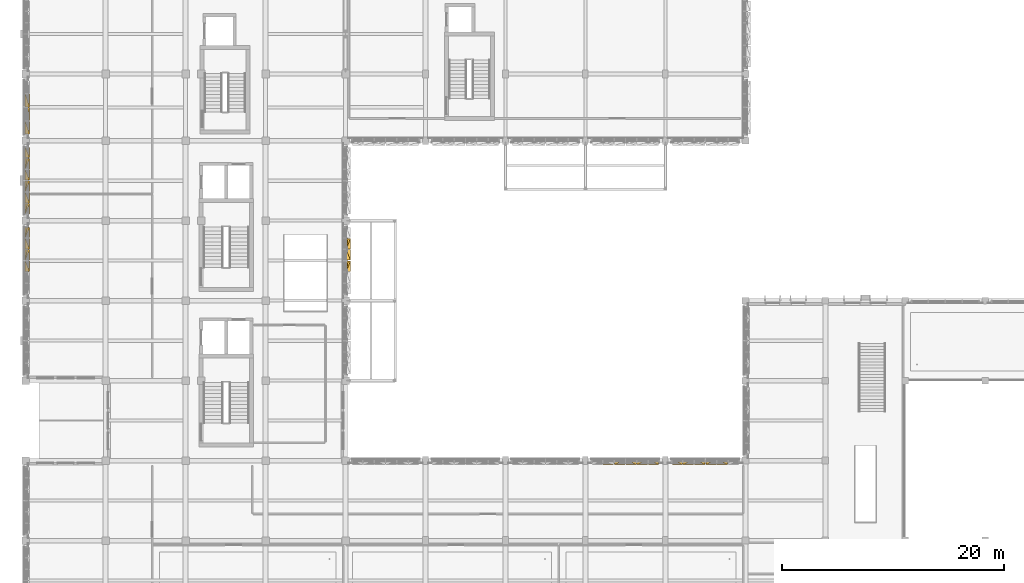
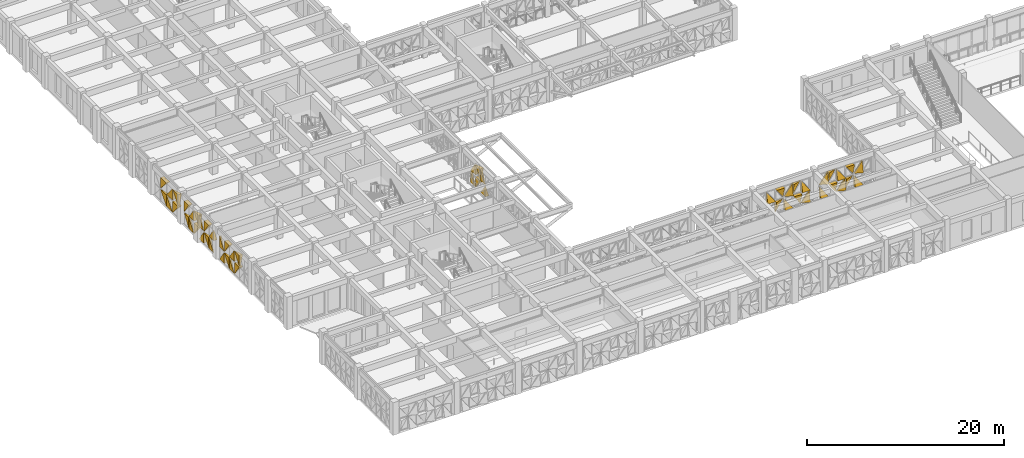
# One storey, part 84 of 88: 51 coverings.
"""IFC4 building model written with IfcOpenShell, lengths in metres."""

from ifc_helpers import new_model, si_unit, direction, frame, origin, place, context, subcontext, project, spatial, polygons, material, layer, layer_set, type_object, element, save


model = new_model("IFC4")

# Units and contexts
model_context = context("Model", 3, precision=1e-05, world=origin(), true_north=direction((0.0, 1.0)))
body_context = subcontext(model_context, "Body", "Model", "MODEL_VIEW")
ifc_project = project(units=[si_unit("LENGTHUNIT", "METRE"), si_unit("AREAUNIT", "SQUARE_METRE"), si_unit("VOLUMEUNIT", "CUBIC_METRE"), si_unit("PLANEANGLEUNIT", "RADIAN"), si_unit("MASSUNIT", "GRAM", prefix="KILO")], contexts=[model_context])

# Site, building, storey
site_placement = place(None, origin())
site = spatial("IfcSite", under=ifc_project, at=site_placement, CompositionType="ELEMENT")
building_placement = place(site_placement, origin())
building = spatial("IfcBuilding", under=site, at=building_placement, Name="Alvorim Cloister Faculty of Sciences", CompositionType="ELEMENT")
storey_placement = place(building_placement, frame((0.0, 0.0, 4.5)))
storey = spatial("IfcBuildingStorey", under=building, at=storey_placement, Name="L01", CompositionType="ELEMENT", Elevation=4.5)

# Coverings
ifc_material = material(Name="Perforated Bronze Alloy Sheet", Category="metal")
ifc_layer = layer(ifc_material, 0.0380859375)
ifc_layer_set = layer_set([ifc_layer], Name="Perforated Bronze Alloy Sheet")
covering_type = type_object("IfcCoveringType", Name="COV-TRI-BRZ", PredefinedType="CLADDING", material=ifc_layer_set)
covering_1_placement = place(storey_placement, frame((-0.044921875, 31.41748046875, 0.159912109375), z_axis=(0.0, 0.0, 1.0), x_axis=(0.0, 1.0, 0.0)))
element("IfcCovering", 1, at=covering_1_placement, inside=storey, type_object=covering_type, Name="Diagonal Solid Metal Triangle TRI-TR", PredefinedType="CLADDING", context=body_context, shape_type="Tessellation", body=[
    polygons([(0.945068359375, 0.0260009765625, 0.002), (0.945068359375, 0.0260009765625, 1.344970703125), (0.002, 0.0260009765625, 1.344970703125), (0.945068359375, -0.03, 0.002), (0.945068359375, -0.4, 1.344970703125), (0.002, -0.4, 1.344970703125)], [[[1, 3, 2]], [[4, 5, 6]], [[1, 2, 5, 4]], [[2, 3, 6, 5]], [[3, 1, 4, 6]]], closed=True),
])
covering_2_placement = place(storey_placement, frame((-0.044921875, 31.41748046875, 1.6650390625), z_axis=(0.0, 0.0, 1.0), x_axis=(0.0, 1.0, 0.0)))
element("IfcCovering", 2, at=covering_2_placement, inside=storey, type_object=covering_type, Name="Diagonal Solid Metal Triangle TRI-TL", PredefinedType="CLADDING", context=body_context, shape_type="Tessellation", body=[
    polygons([(0.943068359375, 0.0260009765625, 1.344970703125), (0.0, 0.0260009765625, 1.344970703125), (0.0, 0.0260009765625, 0.002), (0.943068359375, -0.03, 1.344970703125), (0.0, -0.4, 1.344970703125), (0.0, -0.13999999999999999, 0.002)], [[[1, 3, 2]], [[4, 5, 6]], [[1, 2, 5, 4]], [[2, 3, 6, 5]], [[3, 1, 4, 6]]], closed=True),
])
covering_3_placement = place(storey_placement, frame((-0.044921875, 32.4375, 0.159912109375), z_axis=(0.0, 0.0, 1.0), x_axis=(0.0, 1.0, 0.0)))
element("IfcCovering", 3, at=covering_3_placement, inside=storey, type_object=covering_type, Name="Diagonal Solid Metal Triangle TRI-BR", PredefinedType="CLADDING", context=body_context, shape_type="Tessellation", body=[
    polygons([(0.002, 0.0260009765625, 0.0), (0.945068359375, 0.0260009765625, 0.0), (0.945068359375, 0.0260009765625, 1.342970703125), (0.002, -0.03, 0.0), (0.945068359375, -0.4, 0.0), (0.945068359375, -0.18000000000000002, 1.342970703125)], [[[1, 3, 2]], [[4, 5, 6]], [[1, 2, 5, 4]], [[2, 3, 6, 5]], [[3, 1, 4, 6]]], closed=True),
])
covering_4_placement = place(storey_placement, frame((-0.044921875, 32.4375, 1.6650390625), z_axis=(0.0, 0.0, 1.0), x_axis=(0.0, 1.0, 0.0)))
element("IfcCovering", 4, at=covering_4_placement, inside=storey, type_object=covering_type, Name="Diagonal Solid Metal Triangle TRI-BL", PredefinedType="CLADDING", context=body_context, shape_type="Tessellation", body=[
    polygons([(0.0, 0.0260009765625, 0.0), (0.943068359375, 0.0260009765625, 0.0), (0.0, 0.0260009765625, 1.342970703125), (0.0, -0.4, 0.0), (0.943068359375, -0.4, 0.0), (0.0, -0.03, 1.342970703125)], [[[1, 3, 2]], [[4, 5, 6]], [[1, 2, 5, 4]], [[2, 3, 6, 5]], [[3, 1, 4, 6]]], closed=True),
])
covering_5_placement = place(storey_placement, frame((-0.044921875, 33.45751953125, 0.159912109375), z_axis=(0.0, 0.0, 1.0), x_axis=(0.0, 1.0, 0.0)))
element("IfcCovering", 5, at=covering_5_placement, inside=storey, type_object=covering_type, Name="Diagonal Solid Metal Triangle TRI-TL", PredefinedType="CLADDING", context=body_context, shape_type="Tessellation", body=[
    polygons([(0.943068359375, 0.0260009765625, 1.344970703125), (0.0, 0.0260009765625, 1.344970703125), (0.0, 0.0260009765625, 0.002), (0.943068359375, -0.03, 1.344970703125), (0.0, -0.4, 1.344970703125), (0.0, -0.13999999999999999, 0.002)], [[[1, 3, 2]], [[4, 5, 6]], [[1, 2, 5, 4]], [[2, 3, 6, 5]], [[3, 1, 4, 6]]], closed=True),
])
covering_6_placement = place(storey_placement, frame((-0.044921875, 33.45751953125, 1.6650390625), z_axis=(0.0, 0.0, 1.0), x_axis=(0.0, 1.0, 0.0)))
element("IfcCovering", 6, at=covering_6_placement, inside=storey, type_object=covering_type, Name="Diagonal Solid Metal Triangle TRI-TR", PredefinedType="CLADDING", context=body_context, shape_type="Tessellation", body=[
    polygons([(0.945068359375, 0.0260009765625, 0.002), (0.945068359375, 0.0260009765625, 1.344970703125), (0.002, 0.0260009765625, 1.344970703125), (0.945068359375, -0.03, 0.002), (0.945068359375, -0.4, 1.344970703125), (0.002, -0.4, 1.344970703125)], [[[1, 3, 2]], [[4, 5, 6]], [[1, 2, 5, 4]], [[2, 3, 6, 5]], [[3, 1, 4, 6]]], closed=True),
])
covering_7_placement = place(storey_placement, frame((-0.044921875, 34.4775390625, 0.159912109375), z_axis=(0.0, 0.0, 1.0), x_axis=(0.0, 1.0, 0.0)))
element("IfcCovering", 7, at=covering_7_placement, inside=storey, type_object=covering_type, Name="Diagonal Solid Metal Triangle TRI-BL", PredefinedType="CLADDING", context=body_context, shape_type="Tessellation", body=[
    polygons([(0.0, 0.0260009765625, 0.0), (0.905470703125, 0.0260009765625, 0.0), (0.0, 0.0260009765625, 1.342970703125), (0.0, -0.4, 0.0), (0.905470703125, -0.4, 0.0), (0.0, -0.03, 1.342970703125)], [[[1, 3, 2]], [[4, 5, 6]], [[1, 2, 5, 4]], [[2, 3, 6, 5]], [[3, 1, 4, 6]]], closed=True),
])
for number, where, z_axis, x_axis, name in (
    (8, (-0.044921875, 34.4775390625, 1.6650390625), (0.0, 0.0, 1.0), (0.0, 1.0, 0.0), "Diagonal Solid Metal Triangle TRI-BR"),
    (9, (-0.044921875, 36.614990234375, 0.159912109375), (0.0, 0.0, 1.0), (0.0, 1.0, 0.0), "Diagonal Solid Metal Triangle TRI-BR"),
):
    element("IfcCovering", number, at=place(storey_placement, frame(where, z_axis=z_axis, x_axis=x_axis)), inside=storey, type_object=covering_type, Name=name, PredefinedType="CLADDING", context=body_context, shape_type="Tessellation", body=[
        polygons([(0.002, 0.0260009765625, 0.0), (0.907470703125, 0.0260009765625, 0.0), (0.907470703125, 0.0260009765625, 1.342970703125), (0.002, -0.03, 0.0), (0.907470703125, -0.4, 0.0), (0.907470703125, -0.18000000000000002, 1.342970703125)], [[[1, 3, 2]], [[4, 5, 6]], [[1, 2, 5, 4]], [[2, 3, 6, 5]], [[3, 1, 4, 6]]], closed=True),
    ])
covering_8_placement = place(storey_placement, frame((-0.044921875, 36.614990234375, 1.6650390625), z_axis=(0.0, 0.0, 1.0), x_axis=(0.0, 1.0, 0.0)))
element("IfcCovering", 10, at=covering_8_placement, inside=storey, type_object=covering_type, Name="Diagonal Solid Metal Triangle TRI-BL", PredefinedType="CLADDING", context=body_context, shape_type="Tessellation", body=[
    polygons([(0.0, 0.0260009765625, 0.0), (0.905470703125, 0.0260009765625, 0.0), (0.0, 0.0260009765625, 1.342970703125), (0.0, -0.4, 0.0), (0.905470703125, -0.4, 0.0), (0.0, -0.03, 1.342970703125)], [[[1, 3, 2]], [[4, 5, 6]], [[1, 2, 5, 4]], [[2, 3, 6, 5]], [[3, 1, 4, 6]]], closed=True),
])
covering_9_placement = place(storey_placement, frame((-0.044921875, 37.597412109375, 0.159912109375), z_axis=(0.0, 0.0, 1.0), x_axis=(0.0, 1.0, 0.0)))
element("IfcCovering", 11, at=covering_9_placement, inside=storey, type_object=covering_type, Name="Diagonal Solid Metal Triangle TRI-TL", PredefinedType="CLADDING", context=body_context, shape_type="Tessellation", body=[
    polygons([(0.943068359375, 0.0260009765625, 1.344970703125), (0.0, 0.0260009765625, 1.344970703125), (0.0, 0.0260009765625, 0.002), (0.943068359375, -0.03, 1.344970703125), (0.0, -0.4, 1.344970703125), (0.0, -0.13999999999999999, 0.002)], [[[1, 3, 2]], [[4, 5, 6]], [[1, 2, 5, 4]], [[2, 3, 6, 5]], [[3, 1, 4, 6]]], closed=True),
])
covering_10_placement = place(storey_placement, frame((-0.044921875, 37.597412109375, 1.6650390625), z_axis=(0.0, 0.0, 1.0), x_axis=(0.0, 1.0, 0.0)))
element("IfcCovering", 12, at=covering_10_placement, inside=storey, type_object=covering_type, Name="Diagonal Solid Metal Triangle TRI-TR", PredefinedType="CLADDING", context=body_context, shape_type="Tessellation", body=[
    polygons([(0.945068359375, 0.0260009765625, 0.002), (0.945068359375, 0.0260009765625, 1.344970703125), (0.002, 0.0260009765625, 1.344970703125), (0.945068359375, -0.03, 0.002), (0.945068359375, -0.4, 1.344970703125), (0.002, -0.4, 1.344970703125)], [[[1, 3, 2]], [[4, 5, 6]], [[1, 2, 5, 4]], [[2, 3, 6, 5]], [[3, 1, 4, 6]]], closed=True),
])
covering_11_placement = place(storey_placement, frame((-0.044921875, 38.617431640625, 0.159912109375), z_axis=(0.0, 0.0, 1.0), x_axis=(0.0, 1.0, 0.0)))
element("IfcCovering", 13, at=covering_11_placement, inside=storey, type_object=covering_type, Name="Diagonal Solid Metal Triangle TRI-BL", PredefinedType="CLADDING", context=body_context, shape_type="Tessellation", body=[
    polygons([(0.0, 0.0260009765625, 0.0), (0.943068359375, 0.0260009765625, 0.0), (0.0, 0.0260009765625, 1.342970703125), (0.0, -0.4, 0.0), (0.943068359375, -0.4, 0.0), (0.0, -0.03, 1.342970703125)], [[[1, 3, 2]], [[4, 5, 6]], [[1, 2, 5, 4]], [[2, 3, 6, 5]], [[3, 1, 4, 6]]], closed=True),
])
covering_12_placement = place(storey_placement, frame((-0.044921875, 38.617431640625, 1.6650390625), z_axis=(0.0, 0.0, 1.0), x_axis=(0.0, 1.0, 0.0)))
element("IfcCovering", 14, at=covering_12_placement, inside=storey, type_object=covering_type, Name="Diagonal Solid Metal Triangle TRI-BR", PredefinedType="CLADDING", context=body_context, shape_type="Tessellation", body=[
    polygons([(0.002, 0.0260009765625, 0.0), (0.945068359375, 0.0260009765625, 0.0), (0.945068359375, 0.0260009765625, 1.342970703125), (0.002, -0.03, 0.0), (0.945068359375, -0.4, 0.0), (0.945068359375, -0.18000000000000002, 1.342970703125)], [[[1, 3, 2]], [[4, 5, 6]], [[1, 2, 5, 4]], [[2, 3, 6, 5]], [[3, 1, 4, 6]]], closed=True),
])
covering_13_placement = place(storey_placement, frame((-0.044921875, 39.637451171875, 0.159912109375), z_axis=(0.0, 0.0, 1.0), x_axis=(0.0, 1.0, 0.0)))
element("IfcCovering", 15, at=covering_13_placement, inside=storey, type_object=covering_type, Name="Diagonal Solid Metal Triangle TRI-TR", PredefinedType="CLADDING", context=body_context, shape_type="Tessellation", body=[
    polygons([(0.945068359375, 0.0260009765625, 0.002), (0.945068359375, 0.0260009765625, 1.344970703125), (0.002, 0.0260009765625, 1.344970703125), (0.945068359375, -0.03, 0.002), (0.945068359375, -0.4, 1.344970703125), (0.002, -0.4, 1.344970703125)], [[[1, 3, 2]], [[4, 5, 6]], [[1, 2, 5, 4]], [[2, 3, 6, 5]], [[3, 1, 4, 6]]], closed=True),
])
covering_14_placement = place(storey_placement, frame((-0.044921875, 39.637451171875, 1.6650390625), z_axis=(0.0, 0.0, 1.0), x_axis=(0.0, 1.0, 0.0)))
element("IfcCovering", 16, at=covering_14_placement, inside=storey, type_object=covering_type, Name="Diagonal Solid Metal Triangle TRI-TL", PredefinedType="CLADDING", context=body_context, shape_type="Tessellation", body=[
    polygons([(0.943068359375, 0.0260009765625, 1.344970703125), (0.0, 0.0260009765625, 1.344970703125), (0.0, 0.0260009765625, 0.002), (0.943068359375, -0.03, 1.344970703125), (0.0, -0.4, 1.344970703125), (0.0, -0.13999999999999999, 0.002)], [[[1, 3, 2]], [[4, 5, 6]], [[1, 2, 5, 4]], [[2, 3, 6, 5]], [[3, 1, 4, 6]]], closed=True),
])
covering_15_placement = place(storey_placement, frame((-0.044921875, 40.657470703125, 0.159912109375), z_axis=(0.0, 0.0, 1.0), x_axis=(0.0, 1.0, 0.0)))
element("IfcCovering", 17, at=covering_15_placement, inside=storey, type_object=covering_type, Name="Diagonal Solid Metal Triangle TRI-BR", PredefinedType="CLADDING", context=body_context, shape_type="Tessellation", body=[
    polygons([(0.002, 0.0260009765625, 0.0), (0.945068359375, 0.0260009765625, 0.0), (0.945068359375, 0.0260009765625, 1.342970703125), (0.002, -0.03, 0.0), (0.945068359375, -0.4, 0.0), (0.945068359375, -0.18000000000000002, 1.342970703125)], [[[1, 3, 2]], [[4, 5, 6]], [[1, 2, 5, 4]], [[2, 3, 6, 5]], [[3, 1, 4, 6]]], closed=True),
])
covering_16_placement = place(storey_placement, frame((-0.044921875, 40.657470703125, 1.6650390625), z_axis=(0.0, 0.0, 1.0), x_axis=(0.0, 1.0, 0.0)))
element("IfcCovering", 18, at=covering_16_placement, inside=storey, type_object=covering_type, Name="Diagonal Solid Metal Triangle TRI-BL", PredefinedType="CLADDING", context=body_context, shape_type="Tessellation", body=[
    polygons([(0.0, 0.0260009765625, 0.0), (0.943068359375, 0.0260009765625, 0.0), (0.0, 0.0260009765625, 1.342970703125), (0.0, -0.4, 0.0), (0.943068359375, -0.4, 0.0), (0.0, -0.03, 1.342970703125)], [[[1, 3, 2]], [[4, 5, 6]], [[1, 2, 5, 4]], [[2, 3, 6, 5]], [[3, 1, 4, 6]]], closed=True),
])
covering_17_placement = place(storey_placement, frame((-0.044921875, 41.677490234375, 0.159912109375), z_axis=(0.0, 0.0, 1.0), x_axis=(0.0, 1.0, 0.0)))
element("IfcCovering", 19, at=covering_17_placement, inside=storey, type_object=covering_type, Name="Diagonal Solid Metal Triangle TRI-TL", PredefinedType="CLADDING", context=body_context, shape_type="Tessellation", body=[
    polygons([(0.905470703125, 0.0260009765625, 1.344970703125), (0.0, 0.0260009765625, 1.344970703125), (0.0, 0.0260009765625, 0.002), (0.905470703125, -0.03, 1.344970703125), (0.0, -0.4, 1.344970703125), (0.0, -0.13999999999999999, 0.002)], [[[1, 3, 2]], [[4, 5, 6]], [[1, 2, 5, 4]], [[2, 3, 6, 5]], [[3, 1, 4, 6]]], closed=True),
])
covering_18_placement = place(storey_placement, frame((-0.044921875, 41.677490234375, 1.6650390625), z_axis=(0.0, 0.0, 1.0), x_axis=(0.0, 1.0, 0.0)))
element("IfcCovering", 20, at=covering_18_placement, inside=storey, type_object=covering_type, Name="Diagonal Solid Metal Triangle TRI-TR", PredefinedType="CLADDING", context=body_context, shape_type="Tessellation", body=[
    polygons([(0.907470703125, 0.0260009765625, 0.002), (0.907470703125, 0.0260009765625, 1.344970703125), (0.002, 0.0260009765625, 1.344970703125), (0.907470703125, -0.03, 0.002), (0.907470703125, -0.4, 1.344970703125), (0.002, -0.4, 1.344970703125)], [[[1, 3, 2]], [[4, 5, 6]], [[1, 2, 5, 4]], [[2, 3, 6, 5]], [[3, 1, 4, 6]]], closed=True),
])
covering_19_placement = place(storey_placement, frame((-0.044921875, 43.81494140625, 0.159912109375), z_axis=(0.0, 0.0, 1.0), x_axis=(0.0, 1.0, 0.0)))
element("IfcCovering", 21, at=covering_19_placement, inside=storey, type_object=covering_type, Name="Diagonal Solid Metal Triangle TRI-TR", PredefinedType="CLADDING", context=body_context, shape_type="Tessellation", body=[
    polygons([(1.117431640625, 0.0260009765625, 0.002), (1.117431640625, 0.0260009765625, 1.344970703125), (0.002, 0.0260009765625, 1.344970703125), (1.117431640625, -0.03, 0.002), (1.117431640625, -0.4, 1.344970703125), (0.002, -0.4, 1.344970703125)], [[[1, 3, 2]], [[4, 5, 6]], [[1, 2, 5, 4]], [[2, 3, 6, 5]], [[3, 1, 4, 6]]], closed=True),
])
covering_20_placement = place(storey_placement, frame((-0.044921875, 43.81494140625, 1.6650390625), z_axis=(0.0, 0.0, 1.0), x_axis=(0.0, 1.0, 0.0)))
element("IfcCovering", 22, at=covering_20_placement, inside=storey, type_object=covering_type, Name="Diagonal Solid Metal Triangle TRI-TL", PredefinedType="CLADDING", context=body_context, shape_type="Tessellation", body=[
    polygons([(1.115431640625, 0.0260009765625, 1.344970703125), (0.0, 0.0260009765625, 1.344970703125), (0.0, 0.0260009765625, 0.002), (1.115431640625, -0.03, 1.344970703125), (0.0, -0.4, 1.344970703125), (0.0, -0.13999999999999999, 0.002)], [[[1, 3, 2]], [[4, 5, 6]], [[1, 2, 5, 4]], [[2, 3, 6, 5]], [[3, 1, 4, 6]]], closed=True),
])
covering_21_placement = place(storey_placement, frame((-0.044921875, 45.007568359375, 0.159912109375), z_axis=(0.0, 0.0, 1.0), x_axis=(0.0, 1.0, 0.0)))
element("IfcCovering", 23, at=covering_21_placement, inside=storey, type_object=covering_type, Name="Diagonal Solid Metal Triangle TRI-BR", PredefinedType="CLADDING", context=body_context, shape_type="Tessellation", body=[
    polygons([(0.002, 0.0260009765625, 0.0), (1.155029296875, 0.0260009765625, 0.0), (1.155029296875, 0.0260009765625, 1.342970703125), (0.002, -0.03, 0.0), (1.155029296875, -0.4, 0.0), (1.155029296875, -0.18000000000000002, 1.342970703125)], [[[1, 3, 2]], [[4, 5, 6]], [[1, 2, 5, 4]], [[2, 3, 6, 5]], [[3, 1, 4, 6]]], closed=True),
])
covering_22_placement = place(storey_placement, frame((-0.044921875, 45.007568359375, 1.6650390625), z_axis=(0.0, 0.0, 1.0), x_axis=(0.0, 1.0, 0.0)))
element("IfcCovering", 24, at=covering_22_placement, inside=storey, type_object=covering_type, Name="Diagonal Solid Metal Triangle TRI-BL", PredefinedType="CLADDING", context=body_context, shape_type="Tessellation", body=[
    polygons([(0.0, 0.0260009765625, 0.0), (1.153029296875, 0.0260009765625, 0.0), (0.0, 0.0260009765625, 1.342970703125), (0.0, -0.4, 0.0), (1.153029296875, -0.4, 0.0), (0.0, -0.03, 1.342970703125)], [[[1, 3, 2]], [[4, 5, 6]], [[1, 2, 5, 4]], [[2, 3, 6, 5]], [[3, 1, 4, 6]]], closed=True),
])
covering_23_placement = place(storey_placement, frame((-0.044921875, 46.237548828125, 0.159912109375), z_axis=(0.0, 0.0, 1.0), x_axis=(0.0, 1.0, 0.0)))
element("IfcCovering", 25, at=covering_23_placement, inside=storey, type_object=covering_type, Name="Diagonal Solid Metal Triangle TRI-TL", PredefinedType="CLADDING", context=body_context, shape_type="Tessellation", body=[
    polygons([(1.153029296875, 0.0260009765625, 1.344970703125), (0.0, 0.0260009765625, 1.344970703125), (0.0, 0.0260009765625, 0.002), (1.153029296875, -0.03, 1.344970703125), (0.0, -0.4, 1.344970703125), (0.0, -0.13999999999999999, 0.002)], [[[1, 3, 2]], [[4, 5, 6]], [[1, 2, 5, 4]], [[2, 3, 6, 5]], [[3, 1, 4, 6]]], closed=True),
])
covering_24_placement = place(storey_placement, frame((-0.044921875, 46.237548828125, 1.6650390625), z_axis=(0.0, 0.0, 1.0), x_axis=(0.0, 1.0, 0.0)))
element("IfcCovering", 26, at=covering_24_placement, inside=storey, type_object=covering_type, Name="Diagonal Solid Metal Triangle TRI-TR", PredefinedType="CLADDING", context=body_context, shape_type="Tessellation", body=[
    polygons([(1.155029296875, 0.0260009765625, 0.002), (1.155029296875, 0.0260009765625, 1.344970703125), (0.002, 0.0260009765625, 1.344970703125), (1.155029296875, -0.03, 0.002), (1.155029296875, -0.4, 1.344970703125), (0.002, -0.4, 1.344970703125)], [[[1, 3, 2]], [[4, 5, 6]], [[1, 2, 5, 4]], [[2, 3, 6, 5]], [[3, 1, 4, 6]]], closed=True),
])
covering_25_placement = place(storey_placement, frame((28.844970703125, 31.41748046875, 0.159912109375), z_axis=(0.0, 0.0, 1.0), x_axis=(0.0, 1.0, 0.0)))
element("IfcCovering", 27, at=covering_25_placement, inside=storey, type_object=covering_type, Name="Diagonal Solid Metal Triangle TRI-BL", PredefinedType="CLADDING", context=body_context, shape_type="Tessellation", body=[
    polygons([(0.0, 0.0260009765625, 0.0), (0.943068359375, 0.0260009765625, 0.0), (0.0, 0.0260009765625, 1.342970703125), (0.0, -0.4, 0.0), (0.943068359375, -0.4, 0.0), (0.0, -0.03, 1.342970703125)], [[[1, 3, 2]], [[4, 5, 6]], [[1, 2, 5, 4]], [[2, 3, 6, 5]], [[3, 1, 4, 6]]], closed=True),
])
covering_26_placement = place(storey_placement, frame((28.844970703125, 31.41748046875, 1.6650390625), z_axis=(0.0, 0.0, 1.0), x_axis=(0.0, 1.0, 0.0)))
element("IfcCovering", 28, at=covering_26_placement, inside=storey, type_object=covering_type, Name="Diagonal Solid Metal Triangle TRI-BR", PredefinedType="CLADDING", context=body_context, shape_type="Tessellation", body=[
    polygons([(0.002, 0.0260009765625, 0.0), (0.945068359375, 0.0260009765625, 0.0), (0.945068359375, 0.0260009765625, 1.342970703125), (0.002, -0.03, 0.0), (0.945068359375, -0.4, 0.0), (0.945068359375, -0.18000000000000002, 1.342970703125)], [[[1, 3, 2]], [[4, 5, 6]], [[1, 2, 5, 4]], [[2, 3, 6, 5]], [[3, 1, 4, 6]]], closed=True),
])
covering_27_placement = place(storey_placement, frame((28.844970703125, 32.4375, 0.159912109375), z_axis=(0.0, 0.0, 1.0), x_axis=(0.0, 1.0, 0.0)))
element("IfcCovering", 29, at=covering_27_placement, inside=storey, type_object=covering_type, Name="Diagonal Solid Metal Triangle TRI-TR", PredefinedType="CLADDING", context=body_context, shape_type="Tessellation", body=[
    polygons([(0.945068359375, 0.0260009765625, 0.002), (0.945068359375, 0.0260009765625, 1.344970703125), (0.002, 0.0260009765625, 1.344970703125), (0.945068359375, -0.03, 0.002), (0.945068359375, -0.4, 1.344970703125), (0.002, -0.4, 1.344970703125)], [[[1, 3, 2]], [[4, 5, 6]], [[1, 2, 5, 4]], [[2, 3, 6, 5]], [[3, 1, 4, 6]]], closed=True),
])
covering_28_placement = place(storey_placement, frame((28.844970703125, 32.4375, 1.6650390625), z_axis=(0.0, 0.0, 1.0), x_axis=(0.0, 1.0, 0.0)))
element("IfcCovering", 30, at=covering_28_placement, inside=storey, type_object=covering_type, Name="Diagonal Solid Metal Triangle TRI-TL", PredefinedType="CLADDING", context=body_context, shape_type="Tessellation", body=[
    polygons([(0.943068359375, 0.0260009765625, 1.344970703125), (0.0, 0.0260009765625, 1.344970703125), (0.0, 0.0260009765625, 0.002), (0.943068359375, -0.03, 1.344970703125), (0.0, -0.4, 1.344970703125), (0.0, -0.13999999999999999, 0.002)], [[[1, 3, 2]], [[4, 5, 6]], [[1, 2, 5, 4]], [[2, 3, 6, 5]], [[3, 1, 4, 6]]], closed=True),
])
covering_29_placement = place(storey_placement, frame((28.844970703125, 33.45751953125, 0.159912109375), z_axis=(0.0, 0.0, 1.0), x_axis=(0.0, 1.0, 0.0)))
element("IfcCovering", 31, at=covering_29_placement, inside=storey, type_object=covering_type, Name="Diagonal Solid Metal Triangle TRI-BR", PredefinedType="CLADDING", context=body_context, shape_type="Tessellation", body=[
    polygons([(0.002, 0.0260009765625, 0.0), (0.945068359375, 0.0260009765625, 0.0), (0.945068359375, 0.0260009765625, 1.342970703125), (0.002, -0.03, 0.0), (0.945068359375, -0.4, 0.0), (0.945068359375, -0.18000000000000002, 1.342970703125)], [[[1, 3, 2]], [[4, 5, 6]], [[1, 2, 5, 4]], [[2, 3, 6, 5]], [[3, 1, 4, 6]]], closed=True),
])
for number, where, z_axis, x_axis, name in (
    (32, (28.844970703125, 33.45751953125, 1.6650390625), (0.0, 0.0, 1.0), (0.0, 1.0, 0.0), "Diagonal Solid Metal Triangle TRI-BL"),
    (33, (51.99755859375, 14.445068359375, 1.6650390625), (0.0, 0.0, 1.0), (1.0, 0.0, 0.0), "Diagonal Solid Metal Triangle TRI-BL"),
):
    element("IfcCovering", number, at=place(storey_placement, frame(where, z_axis=z_axis, x_axis=x_axis)), inside=storey, type_object=covering_type, Name=name, PredefinedType="CLADDING", context=body_context, shape_type="Tessellation", body=[
        polygons([(0.0, 0.0260009765625, 0.0), (0.943068359375, 0.0260009765625, 0.0), (0.0, 0.0260009765625, 1.342970703125), (0.0, -0.4, 0.0), (0.943068359375, -0.4, 0.0), (0.0, -0.03, 1.342970703125)], [[[1, 3, 2]], [[4, 5, 6]], [[1, 2, 5, 4]], [[2, 3, 6, 5]], [[3, 1, 4, 6]]], closed=True),
    ])
covering_30_placement = place(storey_placement, frame((53.017578125, 14.445068359375, 0.159912109375), z_axis=(0.0, 0.0, 1.0), x_axis=(1.0, 0.0, 0.0)))
element("IfcCovering", 34, at=covering_30_placement, inside=storey, type_object=covering_type, Name="Diagonal Solid Metal Triangle TRI-TL", PredefinedType="CLADDING", context=body_context, shape_type="Tessellation", body=[
    polygons([(0.943068359375, 0.0260009765625, 1.344970703125), (0.0, 0.0260009765625, 1.344970703125), (0.0, 0.0260009765625, 0.002), (0.943068359375, -0.03, 1.344970703125), (0.0, -0.4, 1.344970703125), (0.0, -0.13999999999999999, 0.002)], [[[1, 3, 2]], [[4, 5, 6]], [[1, 2, 5, 4]], [[2, 3, 6, 5]], [[3, 1, 4, 6]]], closed=True),
])
covering_31_placement = place(storey_placement, frame((53.017578125, 14.445068359375, 1.6650390625), z_axis=(0.0, 0.0, 1.0), x_axis=(1.0, 0.0, 0.0)))
element("IfcCovering", 35, at=covering_31_placement, inside=storey, type_object=covering_type, Name="Diagonal Solid Metal Triangle TRI-TR", PredefinedType="CLADDING", context=body_context, shape_type="Tessellation", body=[
    polygons([(0.945068359375, 0.0260009765625, 0.002), (0.945068359375, 0.0260009765625, 1.344970703125), (0.002, 0.0260009765625, 1.344970703125), (0.945068359375, -0.03, 0.002), (0.945068359375, -0.4, 1.344970703125), (0.002, -0.4, 1.344970703125)], [[[1, 3, 2]], [[4, 5, 6]], [[1, 2, 5, 4]], [[2, 3, 6, 5]], [[3, 1, 4, 6]]], closed=True),
])
covering_32_placement = place(storey_placement, frame((54.03759765625, 14.445068359375, 0.159912109375), z_axis=(0.0, 0.0, 1.0), x_axis=(1.0, 0.0, 0.0)))
element("IfcCovering", 36, at=covering_32_placement, inside=storey, type_object=covering_type, Name="Diagonal Solid Metal Triangle TRI-BL", PredefinedType="CLADDING", context=body_context, shape_type="Tessellation", body=[
    polygons([(0.0, 0.0260009765625, 0.0), (0.943068359375, 0.0260009765625, 0.0), (0.0, 0.0260009765625, 1.342970703125), (0.0, -0.4, 0.0), (0.943068359375, -0.4, 0.0), (0.0, -0.03, 1.342970703125)], [[[1, 3, 2]], [[4, 5, 6]], [[1, 2, 5, 4]], [[2, 3, 6, 5]], [[3, 1, 4, 6]]], closed=True),
])
covering_33_placement = place(storey_placement, frame((54.03759765625, 14.445068359375, 1.6650390625), z_axis=(0.0, 0.0, 1.0), x_axis=(1.0, 0.0, 0.0)))
element("IfcCovering", 37, at=covering_33_placement, inside=storey, type_object=covering_type, Name="Diagonal Solid Metal Triangle TRI-BR", PredefinedType="CLADDING", context=body_context, shape_type="Tessellation", body=[
    polygons([(0.002, 0.0260009765625, 0.0), (0.945068359375, 0.0260009765625, 0.0), (0.945068359375, 0.0260009765625, 1.342970703125), (0.002, -0.03, 0.0), (0.945068359375, -0.4, 0.0), (0.945068359375, -0.18000000000000002, 1.342970703125)], [[[1, 3, 2]], [[4, 5, 6]], [[1, 2, 5, 4]], [[2, 3, 6, 5]], [[3, 1, 4, 6]]], closed=True),
])
covering_34_placement = place(storey_placement, frame((55.0576171875, 14.445068359375, 0.159912109375), z_axis=(0.0, 0.0, 1.0), x_axis=(1.0, 0.0, 0.0)))
element("IfcCovering", 38, at=covering_34_placement, inside=storey, type_object=covering_type, Name="Diagonal Solid Metal Triangle TRI-TR", PredefinedType="CLADDING", context=body_context, shape_type="Tessellation", body=[
    polygons([(0.945068359375, 0.0260009765625, 0.002), (0.945068359375, 0.0260009765625, 1.344970703125), (0.002, 0.0260009765625, 1.344970703125), (0.945068359375, -0.03, 0.002), (0.945068359375, -0.4, 1.344970703125), (0.002, -0.4, 1.344970703125)], [[[1, 3, 2]], [[4, 5, 6]], [[1, 2, 5, 4]], [[2, 3, 6, 5]], [[3, 1, 4, 6]]], closed=True),
])
covering_35_placement = place(storey_placement, frame((55.0576171875, 14.445068359375, 1.6650390625), z_axis=(0.0, 0.0, 1.0), x_axis=(1.0, 0.0, 0.0)))
element("IfcCovering", 39, at=covering_35_placement, inside=storey, type_object=covering_type, Name="Diagonal Solid Metal Triangle TRI-TL", PredefinedType="CLADDING", context=body_context, shape_type="Tessellation", body=[
    polygons([(0.943068359375, 0.0260009765625, 1.344970703125), (0.0, 0.0260009765625, 1.344970703125), (0.0, 0.0260009765625, 0.002), (0.943068359375, -0.03, 1.344970703125), (0.0, -0.4, 1.344970703125), (0.0, -0.13999999999999999, 0.002)], [[[1, 3, 2]], [[4, 5, 6]], [[1, 2, 5, 4]], [[2, 3, 6, 5]], [[3, 1, 4, 6]]], closed=True),
])
covering_36_placement = place(storey_placement, frame((56.077392578125, 14.445068359375, 0.159912109375), z_axis=(0.0, 0.0, 1.0), x_axis=(1.0, 0.0, 0.0)))
element("IfcCovering", 40, at=covering_36_placement, inside=storey, type_object=covering_type, Name="Diagonal Solid Metal Triangle TRI-BR", PredefinedType="CLADDING", context=body_context, shape_type="Tessellation", body=[
    polygons([(0.002, 0.0260009765625, 0.0), (0.907470703125, 0.0260009765625, 0.0), (0.907470703125, 0.0260009765625, 1.342970703125), (0.002, -0.03, 0.0), (0.907470703125, -0.4, 0.0), (0.907470703125, -0.18000000000000002, 1.342970703125)], [[[1, 3, 2]], [[4, 5, 6]], [[1, 2, 5, 4]], [[2, 3, 6, 5]], [[3, 1, 4, 6]]], closed=True),
])
for number, where, z_axis, x_axis, name in (
    (41, (56.077392578125, 14.445068359375, 1.6650390625), (0.0, 0.0, 1.0), (1.0, 0.0, 0.0), "Diagonal Solid Metal Triangle TRI-BL"),
    (42, (58.215087890625, 14.445068359375, 0.159912109375), (0.0, 0.0, 1.0), (1.0, 0.0, 0.0), "Diagonal Solid Metal Triangle TRI-BL"),
):
    element("IfcCovering", number, at=place(storey_placement, frame(where, z_axis=z_axis, x_axis=x_axis)), inside=storey, type_object=covering_type, Name=name, PredefinedType="CLADDING", context=body_context, shape_type="Tessellation", body=[
        polygons([(0.0, 0.0260009765625, 0.0), (0.905470703125, 0.0260009765625, 0.0), (0.0, 0.0260009765625, 1.342970703125), (0.0, -0.4, 0.0), (0.905470703125, -0.4, 0.0), (0.0, -0.03, 1.342970703125)], [[[1, 3, 2]], [[4, 5, 6]], [[1, 2, 5, 4]], [[2, 3, 6, 5]], [[3, 1, 4, 6]]], closed=True),
    ])
covering_37_placement = place(storey_placement, frame((58.215087890625, 14.445068359375, 1.6650390625), z_axis=(0.0, 0.0, 1.0), x_axis=(1.0, 0.0, 0.0)))
element("IfcCovering", 43, at=covering_37_placement, inside=storey, type_object=covering_type, Name="Diagonal Solid Metal Triangle TRI-BR", PredefinedType="CLADDING", context=body_context, shape_type="Tessellation", body=[
    polygons([(0.002, 0.0260009765625, 0.0), (0.907470703125, 0.0260009765625, 0.0), (0.907470703125, 0.0260009765625, 1.342970703125), (0.002, -0.03, 0.0), (0.907470703125, -0.4, 0.0), (0.907470703125, -0.18000000000000002, 1.342970703125)], [[[1, 3, 2]], [[4, 5, 6]], [[1, 2, 5, 4]], [[2, 3, 6, 5]], [[3, 1, 4, 6]]], closed=True),
])
covering_38_placement = place(storey_placement, frame((59.197509765625, 14.445068359375, 0.159912109375), z_axis=(0.0, 0.0, 1.0), x_axis=(1.0, 0.0, 0.0)))
element("IfcCovering", 44, at=covering_38_placement, inside=storey, type_object=covering_type, Name="Diagonal Solid Metal Triangle TRI-TR", PredefinedType="CLADDING", context=body_context, shape_type="Tessellation", body=[
    polygons([(0.945068359375, 0.0260009765625, 0.002), (0.945068359375, 0.0260009765625, 1.344970703125), (0.002, 0.0260009765625, 1.344970703125), (0.945068359375, -0.03, 0.002), (0.945068359375, -0.4, 1.344970703125), (0.002, -0.4, 1.344970703125)], [[[1, 3, 2]], [[4, 5, 6]], [[1, 2, 5, 4]], [[2, 3, 6, 5]], [[3, 1, 4, 6]]], closed=True),
])
covering_39_placement = place(storey_placement, frame((59.197509765625, 14.445068359375, 1.6650390625), z_axis=(0.0, 0.0, 1.0), x_axis=(1.0, 0.0, 0.0)))
element("IfcCovering", 45, at=covering_39_placement, inside=storey, type_object=covering_type, Name="Diagonal Solid Metal Triangle TRI-TL", PredefinedType="CLADDING", context=body_context, shape_type="Tessellation", body=[
    polygons([(0.943068359375, 0.0260009765625, 1.344970703125), (0.0, 0.0260009765625, 1.344970703125), (0.0, 0.0260009765625, 0.002), (0.943068359375, -0.03, 1.344970703125), (0.0, -0.4, 1.344970703125), (0.0, -0.13999999999999999, 0.002)], [[[1, 3, 2]], [[4, 5, 6]], [[1, 2, 5, 4]], [[2, 3, 6, 5]], [[3, 1, 4, 6]]], closed=True),
])
covering_40_placement = place(storey_placement, frame((60.217529296875, 14.445068359375, 0.159912109375), z_axis=(0.0, 0.0, 1.0), x_axis=(1.0, 0.0, 0.0)))
element("IfcCovering", 46, at=covering_40_placement, inside=storey, type_object=covering_type, Name="Diagonal Solid Metal Triangle TRI-BR", PredefinedType="CLADDING", context=body_context, shape_type="Tessellation", body=[
    polygons([(0.002, 0.0260009765625, 0.0), (0.945068359375, 0.0260009765625, 0.0), (0.945068359375, 0.0260009765625, 1.342970703125), (0.002, -0.03, 0.0), (0.945068359375, -0.4, 0.0), (0.945068359375, -0.18000000000000002, 1.342970703125)], [[[1, 3, 2]], [[4, 5, 6]], [[1, 2, 5, 4]], [[2, 3, 6, 5]], [[3, 1, 4, 6]]], closed=True),
])
covering_41_placement = place(storey_placement, frame((60.217529296875, 14.445068359375, 1.6650390625), z_axis=(0.0, 0.0, 1.0), x_axis=(1.0, 0.0, 0.0)))
element("IfcCovering", 47, at=covering_41_placement, inside=storey, type_object=covering_type, Name="Diagonal Solid Metal Triangle TRI-BL", PredefinedType="CLADDING", context=body_context, shape_type="Tessellation", body=[
    polygons([(0.0, 0.0260009765625, 0.0), (0.943068359375, 0.0260009765625, 0.0), (0.0, 0.0260009765625, 1.342970703125), (0.0, -0.4, 0.0), (0.943068359375, -0.4, 0.0), (0.0, -0.03, 1.342970703125)], [[[1, 3, 2]], [[4, 5, 6]], [[1, 2, 5, 4]], [[2, 3, 6, 5]], [[3, 1, 4, 6]]], closed=True),
])
covering_42_placement = place(storey_placement, frame((61.237548828125, 14.445068359375, 0.159912109375), z_axis=(0.0, 0.0, 1.0), x_axis=(1.0, 0.0, 0.0)))
element("IfcCovering", 48, at=covering_42_placement, inside=storey, type_object=covering_type, Name="Diagonal Solid Metal Triangle TRI-TL", PredefinedType="CLADDING", context=body_context, shape_type="Tessellation", body=[
    polygons([(0.943068359375, 0.0260009765625, 1.344970703125), (0.0, 0.0260009765625, 1.344970703125), (0.0, 0.0260009765625, 0.002), (0.943068359375, -0.03, 1.344970703125), (0.0, -0.4, 1.344970703125), (0.0, -0.13999999999999999, 0.002)], [[[1, 3, 2]], [[4, 5, 6]], [[1, 2, 5, 4]], [[2, 3, 6, 5]], [[3, 1, 4, 6]]], closed=True),
])
covering_43_placement = place(storey_placement, frame((61.237548828125, 14.445068359375, 1.6650390625), z_axis=(0.0, 0.0, 1.0), x_axis=(1.0, 0.0, 0.0)))
element("IfcCovering", 49, at=covering_43_placement, inside=storey, type_object=covering_type, Name="Diagonal Solid Metal Triangle TRI-TR", PredefinedType="CLADDING", context=body_context, shape_type="Tessellation", body=[
    polygons([(0.945068359375, 0.0260009765625, 0.002), (0.945068359375, 0.0260009765625, 1.344970703125), (0.002, 0.0260009765625, 1.344970703125), (0.945068359375, -0.03, 0.002), (0.945068359375, -0.4, 1.344970703125), (0.002, -0.4, 1.344970703125)], [[[1, 3, 2]], [[4, 5, 6]], [[1, 2, 5, 4]], [[2, 3, 6, 5]], [[3, 1, 4, 6]]], closed=True),
])
covering_44_placement = place(storey_placement, frame((62.257568359375, 14.445068359375, 0.159912109375), z_axis=(0.0, 0.0, 1.0), x_axis=(1.0, 0.0, 0.0)))
element("IfcCovering", 50, at=covering_44_placement, inside=storey, type_object=covering_type, Name="Diagonal Solid Metal Triangle TRI-BL", PredefinedType="CLADDING", context=body_context, shape_type="Tessellation", body=[
    polygons([(0.0, 0.0260009765625, 0.0), (0.943068359375, 0.0260009765625, 0.0), (0.0, 0.0260009765625, 1.342970703125), (0.0, -0.4, 0.0), (0.943068359375, -0.4, 0.0), (0.0, -0.03, 1.342970703125)], [[[1, 3, 2]], [[4, 5, 6]], [[1, 2, 5, 4]], [[2, 3, 6, 5]], [[3, 1, 4, 6]]], closed=True),
])
covering_45_placement = place(storey_placement, frame((62.257568359375, 14.445068359375, 1.6650390625), z_axis=(0.0, 0.0, 1.0), x_axis=(1.0, 0.0, 0.0)))
element("IfcCovering", 51, at=covering_45_placement, inside=storey, type_object=covering_type, Name="Diagonal Solid Metal Triangle TRI-BR", PredefinedType="CLADDING", context=body_context, shape_type="Tessellation", body=[
    polygons([(0.002, 0.0260009765625, 0.0), (0.945068359375, 0.0260009765625, 0.0), (0.945068359375, 0.0260009765625, 1.342970703125), (0.002, -0.03, 0.0), (0.945068359375, -0.4, 0.0), (0.945068359375, -0.18000000000000002, 1.342970703125)], [[[1, 3, 2]], [[4, 5, 6]], [[1, 2, 5, 4]], [[2, 3, 6, 5]], [[3, 1, 4, 6]]], closed=True),
])

save(model, "model.ifc")
